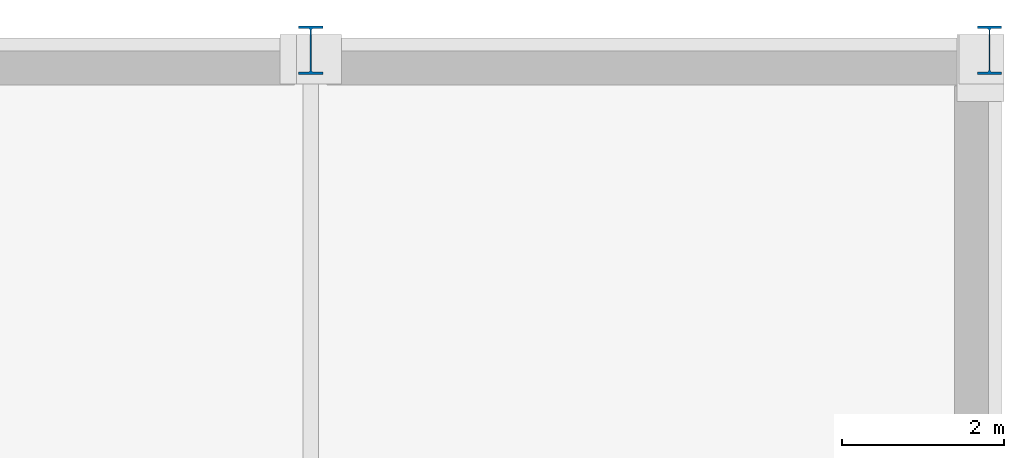
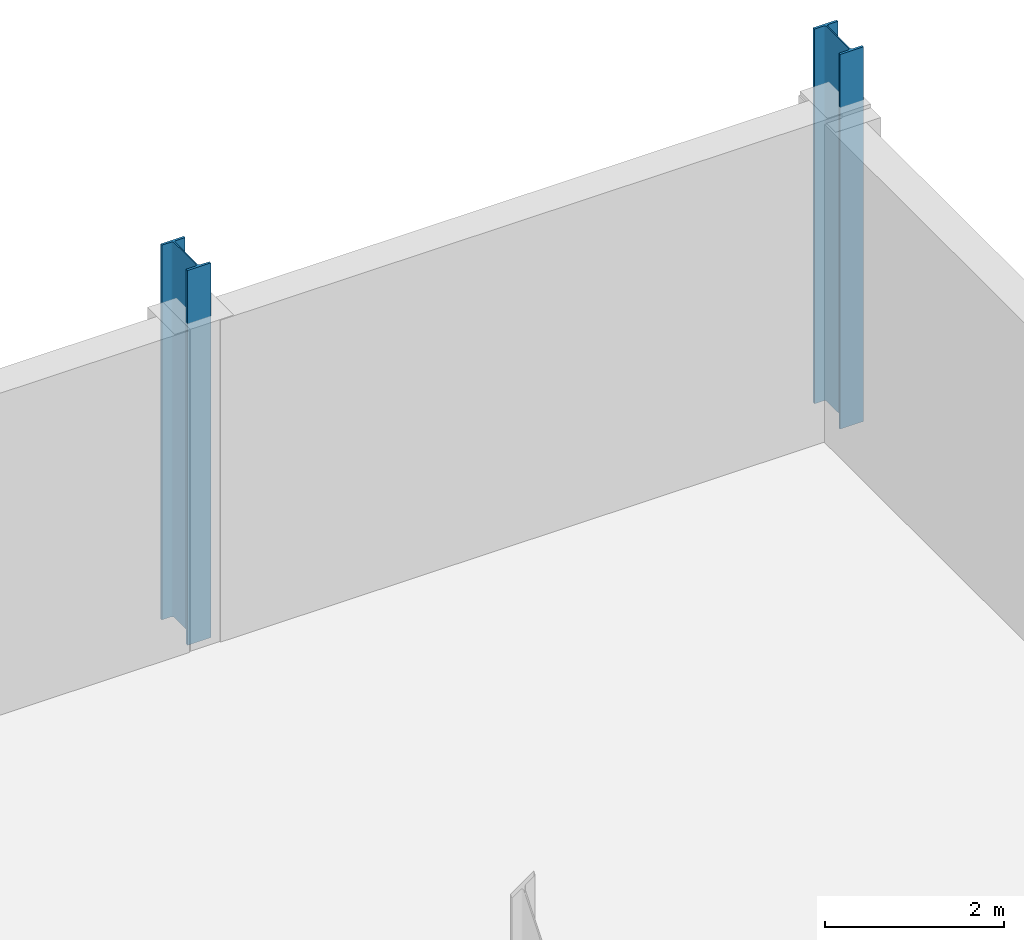
# One storey, part 26 of 105: 2 columns.
"""IFC4 building model written with IfcOpenShell, lengths in metres."""

from ifc_helpers import new_model, si_unit, direction, frame, origin, origin_2d, place, context, subcontext, project, spatial, i_section, extrude, material, material_profile, profile_set, type_object, element, save


model = new_model("IFC4")

# Units and contexts
model_context = context("Model", 3, precision=1e-05, world=origin(), true_north=direction((0.0, 1.0)))
body_context = subcontext(model_context, "Body", "Model", "MODEL_VIEW")
ifc_project = project(units=[si_unit("LENGTHUNIT", "METRE"), si_unit("AREAUNIT", "SQUARE_METRE"), si_unit("VOLUMEUNIT", "CUBIC_METRE"), si_unit("PLANEANGLEUNIT", "RADIAN"), si_unit("MASSUNIT", "GRAM", prefix="KILO")], contexts=[model_context])

# Site, building, storey
site_placement = place(None, origin())
site = spatial("IfcSite", under=ifc_project, at=site_placement, CompositionType="ELEMENT")
building_placement = place(site_placement, origin())
building = spatial("IfcBuilding", under=site, at=building_placement, Name="Nabrawat Pavilion Hospital", CompositionType="ELEMENT")
storey_placement = place(building_placement, frame((0.0, 0.0, 5.10009765625)))
storey = spatial("IfcBuildingStorey", under=building, at=storey_placement, Name="L01", CompositionType="ELEMENT", Elevation=5.10009765625)

# Columns
ifc_material = material(Name="Steel S355", Category="steel")
ifc_material_profile = material_profile(ifc_material, i_section(OverallWidth=0.300048828125, OverallDepth=0.60009765625, WebThickness=0.015380859375, FlangeThickness=0.030029296875, FilletRadius=0.027099609375, at=origin_2d()), Name="HEB 600")
ifc_profile_set = profile_set([ifc_material_profile], Name="Steel S355")
column_type = type_object("IfcColumnType", Name="Composite Steel Column HEB 600", PredefinedType="COLUMN", material=ifc_profile_set)
for number, where, z_axis, x_axis, name in (
    (1, (184.800048828125, 124.800048828125, 0.0), (0.0, 0.0, 1.0), (1.0, 0.0, 0.0), "L01 Structural Column G-23-S"),
    (2, (193.199951171875, 124.800048828125, 0.0), (0.0, 0.0, 1.0), (1.0, 0.0, 0.0), "L01 Structural Column G-24-S"),
):
    element("IfcColumn", number, at=place(storey_placement, frame(where, z_axis=z_axis, x_axis=x_axis)), inside=storey, type_object=column_type, Name=name, PredefinedType="COLUMN", context=body_context, shape_type="SweptSolid", body=[
        extrude(i_section(OverallWidth=0.300048828125, OverallDepth=0.60009765625, WebThickness=0.015380859375, FlangeThickness=0.030029296875, FilletRadius=0.027099609375, at=origin_2d()), origin(), (0.0, 0.0, 1.0), 5.099853515625),
    ])

save(model, "model.ifc")
